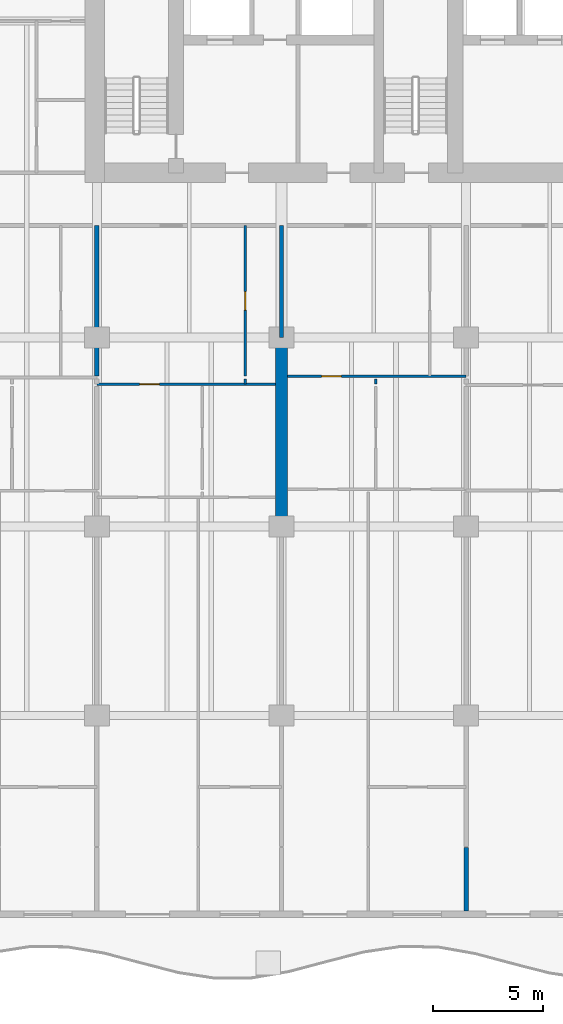
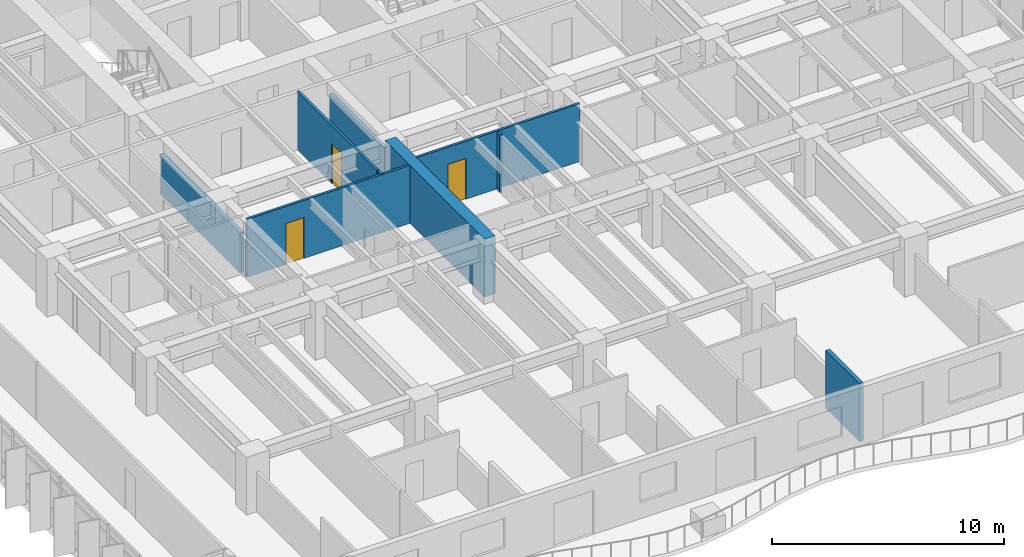
# One storey, part 7 of 17: 9 walls, 3 doors, 3 openings.
"""IFC4 building model written with IfcOpenShell, lengths in metres."""

from ifc_helpers import new_model, si_unit, direction, frame, frame_2d, origin, place, context, subcontext, project, spatial, rectangle, extrude, material, layer, layer_set, type_object, element, fill, save


model = new_model("IFC4")

# Units and contexts
model_context = context("Model", 3, precision=1e-05, world=origin(), true_north=direction((0.0, 1.0)))
body_context = subcontext(model_context, "Body", "Model", "MODEL_VIEW")
ifc_project = project(units=[si_unit("LENGTHUNIT", "METRE"), si_unit("AREAUNIT", "SQUARE_METRE"), si_unit("VOLUMEUNIT", "CUBIC_METRE"), si_unit("PLANEANGLEUNIT", "RADIAN"), si_unit("MASSUNIT", "GRAM", prefix="KILO")], contexts=[model_context])

# Site, building, storey
site_placement = place(None, origin())
site = spatial("IfcSite", under=ifc_project, at=site_placement, CompositionType="ELEMENT")
building_placement = place(site_placement, origin())
building = spatial("IfcBuilding", under=site, at=building_placement, Name="Caelmar Bay Residences", CompositionType="ELEMENT")
storey_placement = place(building_placement, frame((0.0, 0.0, 33.300048828125)))
storey = spatial("IfcBuildingStorey", under=building, at=storey_placement, Name="L07", CompositionType="ELEMENT", Elevation=33.300048828125)

# Walls
ifc_material_1 = material(Name="Concrete f'c 70 MPa (10,000 psi)", Category="concrete")
ifc_layer_1 = layer(ifc_material_1, 0.550048828125)
ifc_layer_set_1 = layer_set([ifc_layer_1], Name="Concrete f'c 70 MPa (10,000 psi)")
wall_type_1 = type_object("IfcWallType", Name="SW-XSLB-550", PredefinedType="SHEAR", material=ifc_layer_set_1)
wall_1_placement = place(storey_placement, frame((26.699951171875, 20.800048828125, 0.0), z_axis=(0.0, 0.0, 1.0), x_axis=(0.0, 1.0, 0.0)))
element("IfcWall", 1, at=wall_1_placement, inside=storey, type_object=wall_type_1, Name="L07 Transverse Cross-Slab Shear Wall W5", PredefinedType="SHEAR", context=body_context, shape_type="SweptSolid", body=[
    extrude(rectangle(XDim=8.599853515625, YDim=0.550048828125, at=frame_2d((4.2998046875, 0.0))), origin(), (0.0, 0.0, 1.0), 3.050048828125),
])
ifc_material_2 = material(Name="Acoustic metal-stud gypsum partition 120 mm")
ifc_layer_2 = layer(ifc_material_2, 0.1201171875)
ifc_layer_set_2 = layer_set([ifc_layer_2], Name="Acoustic metal-stud gypsum partition 120 mm")
wall_type_2 = type_object("IfcWallType", Name="W-PRT-120", PredefinedType="PARTITIONING", material=ifc_layer_set_2)
wall_2_placement = place(storey_placement, frame((25.050048828125, 27.280029296875, 0.0), z_axis=(0.0, 0.0, 1.0), x_axis=(0.0, 1.0, 0.0)))
element("IfcWall", 2, at=wall_2_placement, inside=storey, type_object=wall_type_2, Name="L07 Partition Wall V029", PredefinedType="PARTITIONING", context=body_context, shape_type="SweptSolid", body=[
    extrude(rectangle(XDim=0.239990234375, YDim=0.1201171875, at=frame_2d((0.1201171875, 0.0))), origin(), (0.0, 0.0, 1.0), 3.050048828125),
])

# Wall, opening, door
wall_3_placement = place(storey_placement, frame((25.050048828125, 27.639892578125, 0.0), z_axis=(0.0, 0.0, 1.0), x_axis=(0.0, 1.0, 0.0)))
wall_3 = element("IfcWall", 3, at=wall_3_placement, inside=storey, type_object=wall_type_2, Name="L07 Partition Wall V030", PredefinedType="PARTITIONING", context=body_context, shape_type="SweptSolid", body=[
    extrude(rectangle(XDim=6.860107421875, YDim=0.1201171875, at=frame_2d((3.43017578125, 0.0))), origin(), (0.0, 0.0, 1.0), 3.050048828125),
])
opening_1_placement = place(wall_3_placement, frame((3.0048828125, 0.0, 0.0)))
opening_1 = element("IfcOpeningElement", 4, at=opening_1_placement, cuts=wall_3, Name="Opening D-L07-128", PredefinedType="OPENING", context=body_context, shape_type="SweptSolid", body=[
    extrude(rectangle(XDim=0.85009765625, YDim=2.10009765625, at=frame_2d((0.425048828125, 1.050048828125))), frame((0.0, 0.070068359375, 0.0), z_axis=(0.0, -1.0, 0.0), x_axis=(1.0, 0.0, 0.0)), (0.0, 0.0, 1.0), 0.14013671875),
])
ifc_material_3 = material(Name="Solid walnut timber interior door leaf and frame", Category="wood")
ifc_layer_3 = layer(ifc_material_3, 0.050048828125)
ifc_layer_set_3 = layer_set([ifc_layer_3], Name="Solid walnut timber interior door leaf and frame")
door_type_1 = type_object("IfcDoorType", Name="D-BATH-850", OperationType="NOTDEFINED", PredefinedType="DOOR", material=ifc_layer_set_3)
door_1_placement = place(opening_1_placement, origin())
door_1 = element("IfcDoor", 5, at=door_1_placement, inside=storey, type_object=door_type_1, Name="L07 Residence 02 Bathroom Door", OperationType="SINGLE_SWING_LEFT", OverallHeight=2.10009765625, OverallWidth=0.85009765625, PredefinedType="DOOR", context=body_context, shape_type="SweptSolid", body=[
    extrude(rectangle(XDim=0.85009765625, YDim=2.10009765625, at=frame_2d((0.425048828125, 1.050048828125))), frame((0.0, 0.02490234375, 0.0), z_axis=(0.0, -1.0, 0.0), x_axis=(1.0, 0.0, 0.0)), (0.0, 0.0, 1.0), 0.050048828125),
])
fill(opening_1, door_1)

# Wall
wall_4_placement = place(storey_placement, frame((30.986083984375, 27.280029296875, 0.0), z_axis=(0.0, 0.0, 1.0), x_axis=(0.0, 1.0, 0.0)))
element("IfcWall", 6, at=wall_4_placement, inside=storey, type_object=wall_type_2, Name="L07 Partition Wall V040", PredefinedType="PARTITIONING", context=body_context, shape_type="SweptSolid", body=[
    extrude(rectangle(XDim=0.239990234375, YDim=0.1201171875, at=frame_2d((0.1201171875, 0.0))), origin(), (0.0, 0.0, 1.0), 3.050048828125),
])

# Wall, opening, door
wall_5_placement = place(storey_placement, frame((18.300048828125, 27.280029296875, 0.0), z_axis=(0.0, 0.0, 1.0), x_axis=(1.0, 0.0, 0.0)))
wall_5 = element("IfcWall", 7, at=wall_5_placement, inside=storey, type_object=wall_type_2, Name="L07 Partition Wall H118", PredefinedType="PARTITIONING", context=body_context, shape_type="SweptSolid", body=[
    extrude(rectangle(XDim=8.1298828125, YDim=0.1201171875, at=frame_2d((4.06494140625, 0.0))), origin(), (0.0, 0.0, 1.0), 3.050048828125),
])
opening_2_placement = place(wall_5_placement, frame((1.943115234375, 0.0, 0.0)))
opening_2 = element("IfcOpeningElement", 8, at=opening_2_placement, cuts=wall_5, Name="Opening D-L07-129", PredefinedType="OPENING", context=body_context, shape_type="SweptSolid", body=[
    extrude(rectangle(XDim=0.89990234375, YDim=2.14990234375, at=frame_2d((0.449951171875, 1.074951171875))), frame((0.0, 0.070068359375, 0.0), z_axis=(0.0, -1.0, 0.0), x_axis=(1.0, 0.0, 0.0)), (0.0, 0.0, 1.0), 0.14013671875),
])
ifc_layer_4 = layer(ifc_material_3, 0.050048828125)
ifc_layer_set_4 = layer_set([ifc_layer_4], Name="Solid walnut timber interior door leaf and frame")
door_type_2 = type_object("IfcDoorType", Name="D-ROOM-900", OperationType="NOTDEFINED", PredefinedType="DOOR", material=ifc_layer_set_4)
door_2_placement = place(opening_2_placement, origin())
door_2 = element("IfcDoor", 9, at=door_2_placement, inside=storey, type_object=door_type_2, Name="L07 Residence 02 Kitchen Door", OperationType="SINGLE_SWING_RIGHT", OverallHeight=2.14990234375, OverallWidth=0.89990234375, PredefinedType="DOOR", context=body_context, shape_type="SweptSolid", body=[
    extrude(rectangle(XDim=0.89990234375, YDim=2.14990234375, at=frame_2d((0.449951171875, 1.074951171875))), frame((0.0, 0.02490234375, 0.0), z_axis=(0.0, -1.0, 0.0), x_axis=(1.0, 0.0, 0.0)), (0.0, 0.0, 1.0), 0.050048828125),
])
fill(opening_2, door_2)

wall_6_placement = place(storey_placement, frame((26.969970703125, 27.639892578125, 0.0), z_axis=(0.0, 0.0, 1.0), x_axis=(1.0, 0.0, 0.0)))
wall_6 = element("IfcWall", 10, at=wall_6_placement, inside=storey, type_object=wall_type_2, Name="L07 Partition Wall H122", PredefinedType="PARTITIONING", context=body_context, shape_type="SweptSolid", body=[
    extrude(rectangle(XDim=8.130126953125, YDim=0.1201171875, at=frame_2d((4.06494140625, 0.0))), origin(), (0.0, 0.0, 1.0), 3.050048828125),
])
opening_3_placement = place(wall_6_placement, frame((1.55810546875, 0.0, 0.0)))
opening_3 = element("IfcOpeningElement", 11, at=opening_3_placement, cuts=wall_6, Name="Opening D-L07-136", PredefinedType="OPENING", context=body_context, shape_type="SweptSolid", body=[
    extrude(rectangle(XDim=0.89990234375, YDim=2.14990234375, at=frame_2d((0.449951171875, 1.074951171875))), frame((0.0, 0.070068359375, 0.0), z_axis=(0.0, -1.0, 0.0), x_axis=(1.0, 0.0, 0.0)), (0.0, 0.0, 1.0), 0.14013671875),
])
door_3_placement = place(opening_3_placement, origin())
door_3 = element("IfcDoor", 12, at=door_3_placement, inside=storey, type_object=door_type_2, Name="L07 Residence 03 Kitchen Door", OperationType="SINGLE_SWING_LEFT", OverallHeight=2.14990234375, OverallWidth=0.89990234375, PredefinedType="DOOR", context=body_context, shape_type="SweptSolid", body=[
    extrude(rectangle(XDim=0.89990234375, YDim=2.14990234375, at=frame_2d((0.449951171875, 1.074951171875))), frame((0.0, 0.02490234375, 0.0), z_axis=(0.0, -1.0, 0.0), x_axis=(1.0, 0.0, 0.0)), (0.0, 0.0, 1.0), 0.050048828125),
])
fill(opening_3, door_3)

# Walls
ifc_material_4 = material(Name="Acoustic twin-stud fire-rated inter-tenancy partition 200 mm")
ifc_layer_5 = layer(ifc_material_4, 0.199951171875)
ifc_layer_set_5 = layer_set([ifc_layer_5], Name="Acoustic twin-stud fire-rated inter-tenancy partition 200 mm")
wall_type_3 = type_object("IfcWallType", Name="W-PTY-200", PredefinedType="PARTITIONING", material=ifc_layer_set_5)
wall_7_placement = place(storey_placement, frame((18.300048828125, 27.639892578125, 0.0), z_axis=(0.0, 0.0, 1.0), x_axis=(0.0, 1.0, 0.0)))
element("IfcWall", 13, at=wall_7_placement, inside=storey, type_object=wall_type_3, Name="L07 Partition Wall V023", PredefinedType="PARTITIONING", context=body_context, shape_type="SweptSolid", body=[
    extrude(rectangle(XDim=6.860107421875, YDim=0.199951171875, at=frame_2d((3.43017578125, 0.0))), origin(), (0.0, 0.0, 1.0), 2.10986328125),
])
wall_8_placement = place(storey_placement, frame((26.699951171875, 29.405029296875, 0.0), z_axis=(0.0, 0.0, 1.0), x_axis=(0.0, 1.0, 0.0)))
element("IfcWall", 14, at=wall_8_placement, inside=storey, type_object=wall_type_3, Name="L07 Partition Wall V034", PredefinedType="PARTITIONING", context=body_context, shape_type="SweptSolid", body=[
    extrude(rectangle(XDim=5.094970703125, YDim=0.199951171875, at=frame_2d((2.54736328125, 0.0))), origin(), (0.0, 0.0, 1.0), 2.3349609375),
])
wall_9_placement = place(storey_placement, frame((35.10009765625, 3.294921875, 0.0), z_axis=(0.0, 0.0, 1.0), x_axis=(0.0, 1.0, 0.0)))
element("IfcWall", 15, at=wall_9_placement, inside=storey, type_object=wall_type_3, Name="L07 Partition Wall V042", PredefinedType="PARTITIONING", context=body_context, shape_type="SweptSolid", body=[
    extrude(rectangle(XDim=2.905029296875, YDim=0.199951171875, at=frame_2d((1.45263671875, 0.0))), origin(), (0.0, 0.0, 1.0), 3.050048828125),
])

save(model, "model.ifc")
